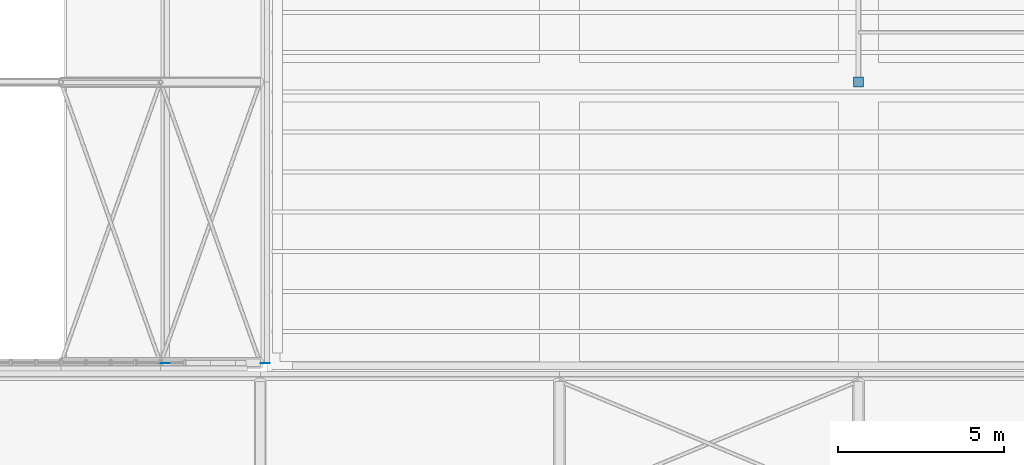
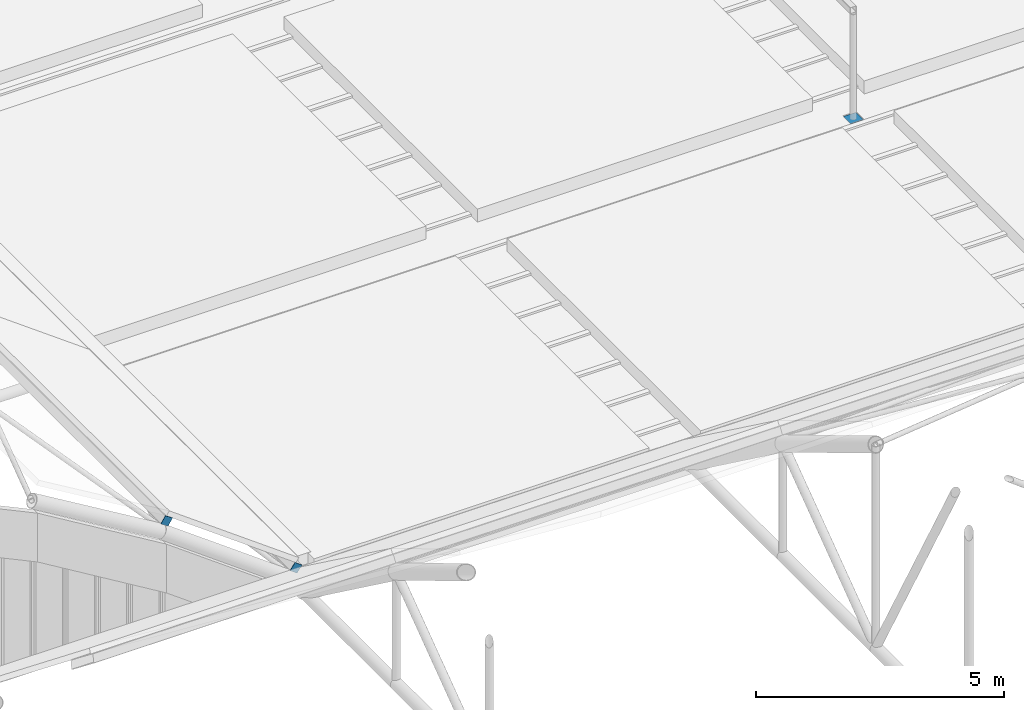
# One storey, part 129 of 153: 3 discrete accessories.
"""IFC4 building model written with IfcOpenShell, lengths in metres."""

import ifcopenshell
import ifcopenshell.guid

model = None  # the IFC model being written
_history = None  # IfcOwnerHistory: only IFC2X3 demands one
_inside = {}  # id of a spatial element -> (the spatial element, [elements in it])
_under = {}  # id of a project, library or spatial element -> (it, [spatial elements below it])
_declared = {}  # id of a project -> (the project, [libraries it declares])
_typed = {}  # id of a type object -> (the type object, [elements of that type])
_made_of = {}  # id of a material, layer set ... -> (it, [elements and type objects made of it])


def new_model(schema):
    """Start an empty IFC model of exactly this schema.

    Asked for "IFC4X3", IfcOpenShell would pick the latest addendum, in which some entities
    have other attributes; the version numbers below select the first issue.
    IFC2X3 requires an IfcOwnerHistory on every rooted entity: one is made here for all.
    """
    global model, _history
    if schema == "IFC4X3":
        model = ifcopenshell.file(schema_version=(4, 3, 0, 0))
    else:
        model = ifcopenshell.file(schema=schema)
    _inside.clear()
    _under.clear()
    _declared.clear()
    _typed.clear()
    _made_of.clear()
    _history = None
    if model.schema == "IFC2X3":
        org = make("IfcOrganization", Name="unknown")
        user = make(
            "IfcPersonAndOrganization",
            ThePerson=make("IfcPerson", FamilyName="unknown"),
            TheOrganization=org,
        )
        app = make(
            "IfcApplication",
            ApplicationDeveloper=org,
            Version="unknown",
            ApplicationFullName="unknown",
            ApplicationIdentifier="unknown",
        )
        _history = make(
            "IfcOwnerHistory",
            OwningUser=user,
            OwningApplication=app,
            ChangeAction="ADDED",
            CreationDate=0,
        )
    return model


def make(cls, **values):
    """One entity of the class cls with the attributes given. An attribute that is None is left unset."""
    return model.create_entity(
        cls, **{name: value for name, value in values.items() if value is not None}
    )


def rooted(cls, **values):
    """An entity with a GlobalId (a new one), such as an element, a storey or a relation."""
    return make(cls, GlobalId=ifcopenshell.guid.new(), OwnerHistory=_history, **values)


def si_unit(unit_type, name, prefix=None):
    """IfcSIUnit, for example si_unit("LENGTHUNIT", "METRE", prefix="MILLI")."""
    return make("IfcSIUnit", UnitType=unit_type, Prefix=prefix, Name=name)


def assignment(units):
    """IfcUnitAssignment: the units of a project."""
    return None if units is None else make("IfcUnitAssignment", Units=units)


def point(xyz):
    """IfcCartesianPoint."""
    return None if xyz is None else make("IfcCartesianPoint", Coordinates=xyz)


def direction(xyz):
    """IfcDirection."""
    return None if xyz is None else make("IfcDirection", DirectionRatios=xyz)


def frame(location, z_axis=None, x_axis=None):
    """IfcAxis2Placement3D, a coordinate frame: its origin and axes. An axis left out is left unset."""
    return make(
        "IfcAxis2Placement3D",
        Location=point(location),
        Axis=direction(z_axis),
        RefDirection=direction(x_axis),
    )


def frame_2d(location, x_axis=None):
    """IfcAxis2Placement2D, a coordinate frame in the plane: its origin and x axis."""
    return make(
        "IfcAxis2Placement2D", Location=point(location), RefDirection=direction(x_axis)
    )


def origin():
    """The frame at (0, 0, 0) with its axes left unset."""
    return frame((0.0, 0.0, 0.0))


def origin_2d():
    """The frame at (0, 0) in the plane with its x axis left unset."""
    return frame_2d((0.0, 0.0))


def place(relative_to, where):
    """IfcLocalPlacement: puts the frame where relative to a parent placement (None: the world)."""
    return make(
        "IfcLocalPlacement", PlacementRelTo=relative_to, RelativePlacement=where
    )


def context(
    kind, dimensions, precision=None, world=None, true_north=None, identifier=None
):
    """IfcGeometricRepresentationContext, for example the 3D "Model" context."""
    return make(
        "IfcGeometricRepresentationContext",
        ContextIdentifier=identifier,
        ContextType=kind,
        CoordinateSpaceDimension=dimensions,
        Precision=precision,
        WorldCoordinateSystem=world,
        TrueNorth=true_north,
    )


def subcontext(parent, identifier, kind, view, scale=None):
    """IfcGeometricRepresentationSubContext, for example "Body" below "Model"."""
    return make(
        "IfcGeometricRepresentationSubContext",
        ContextIdentifier=identifier,
        ContextType=kind,
        ParentContext=parent,
        TargetScale=scale,
        TargetView=view,
    )


def project(units=None, contexts=None):
    """IfcProject with its units and contexts."""
    return rooted(
        "IfcProject",
        Name="project",
        RepresentationContexts=contexts,
        UnitsInContext=assignment(units),
    )


def spatial(cls, under=None, at=None, **own):
    """A site, building, storey or space (cls), placed at a placement, below another one or the project."""
    s = rooted(cls, ObjectPlacement=at, **own)
    if under is not None:
        _under.setdefault(under.id(), (under, []))[1].append(s)
    return s


def profile(cls, at=None, kind="AREA", **sizes):
    """A parametric profile (cls). Its sizes go by their IFC names, for example OverallWidth=200.0."""
    return make(cls, ProfileType=kind, Position=at, **sizes)


def rectangle(**sizes):
    """IfcRectangleProfileDef."""
    return profile("IfcRectangleProfileDef", **sizes)


def extrude(swept, where, along, depth):
    """IfcExtrudedAreaSolid: the profile swept, set in the frame where, extruded along a direction by depth."""
    return make(
        "IfcExtrudedAreaSolid",
        SweptArea=swept,
        Position=where,
        ExtrudedDirection=direction(along),
        Depth=depth,
    )


def shape(context_of_items, identifier, shape_type, items):
    """IfcShapeRepresentation: the items that make up one representation, for example the "Body"."""
    return make(
        "IfcShapeRepresentation",
        ContextOfItems=context_of_items,
        RepresentationIdentifier=identifier,
        RepresentationType=shape_type,
        Items=items,
    )


def material(Name=None, Category=None):
    """IfcMaterial."""
    return make("IfcMaterial", Name=Name, Category=Category)


def made_of(thing, what):
    """Note that an element or type object is made of a material, layer set ...; save() writes the relation."""
    if what is not None:
        _made_of.setdefault(what.id(), (what, []))[1].append(thing)
    return thing


def type_object(cls, material=None, **own):
    """A type object (cls), such as IfcWallType, which elements share."""
    return made_of(rooted(cls, **own), material)


def element(
    cls,
    number,
    at=None,
    inside=None,
    cuts=None,
    type_object=None,
    material=None,
    context=None,
    identifier="Body",
    shape_type=None,
    held_by="IfcProductDefinitionShape",
    body=None,
    shapes=None,
    **own,
):
    """One element of the class cls, such as IfcWall. Its Tag is "e" and its number.

    at: its placement. inside: the storey or other place that contains it. cuts: it is an
    opening in that element (IfcRelVoidsElement). A single representation is given by context,
    identifier, shape_type and body (its items); several are given by shapes. held_by: the class
    of the entity that holds the representations. save() writes the other relations.
    """
    e = rooted(cls, Tag="e%d" % number, ObjectPlacement=at, **own)
    if body is not None:
        shapes = [shape(context, identifier, shape_type, body)]
    if shapes is not None:
        e.Representation = make(held_by, Representations=shapes)
    if inside is not None:
        _inside.setdefault(inside.id(), (inside, []))[1].append(e)
    if cuts is not None:
        rooted(
            "IfcRelVoidsElement", RelatingBuildingElement=cuts, RelatedOpeningElement=e
        )
    if type_object is not None:
        _typed.setdefault(type_object.id(), (type_object, []))[1].append(e)
    return made_of(e, material)


def aggregate(whole, parts):
    """IfcRelAggregates: a whole, such as a stair, and the parts it consists of."""
    return rooted("IfcRelAggregates", RelatingObject=whole, RelatedObjects=parts)


def save(model, path):
    """Write the relations noted so far, then the file.

    IfcRelAggregates (storeys below a building ...), IfcRelContainedInSpatialStructure (elements
    in a storey), IfcRelDefinesByType, IfcRelAssociatesMaterial and IfcRelDeclares: one each for
    every whole, place, type object, material and project.
    """
    for whole, parts in _under.values():
        aggregate(whole, parts)
    for where, things in _inside.values():
        rooted(
            "IfcRelContainedInSpatialStructure",
            RelatedElements=things,
            RelatingStructure=where,
        )
    for kind, things in _typed.values():
        rooted("IfcRelDefinesByType", RelatedObjects=things, RelatingType=kind)
    for what, things in _made_of.values():
        rooted("IfcRelAssociatesMaterial", RelatedObjects=things, RelatingMaterial=what)
    for by, libraries in _declared.values():
        rooted("IfcRelDeclares", RelatingContext=by, RelatedDefinitions=libraries)
    model.write(path)


model = new_model("IFC4")

# Units and contexts
model_context = context("Model", 3, precision=1e-05, world=origin(), true_north=direction((0.0, 1.0)))
body_context = subcontext(model_context, "Body", "Model", "MODEL_VIEW")
ifc_project = project(units=[si_unit("LENGTHUNIT", "METRE"), si_unit("AREAUNIT", "SQUARE_METRE"), si_unit("VOLUMEUNIT", "CUBIC_METRE"), si_unit("PLANEANGLEUNIT", "RADIAN"), si_unit("MASSUNIT", "GRAM", prefix="KILO")], contexts=[model_context])

# Site, building, storey
site_placement = place(None, origin())
site = spatial("IfcSite", under=ifc_project, at=site_placement, CompositionType="ELEMENT")
building_placement = place(site_placement, origin())
building = spatial("IfcBuilding", under=site, at=building_placement, Name="Baradari Gate Terminus", CompositionType="ELEMENT")
storey_placement = place(building_placement, frame((0.0, 0.0, 11.699951171875)))
storey = spatial("IfcBuildingStorey", under=building, at=storey_placement, Name="L02", CompositionType="ELEMENT", Elevation=11.699951171875)

# Discrete accessories
ifc_material_1 = material(Name="Steel S355", Category="steel")
discrete_accessory_type_1 = type_object("IfcDiscreteAccessoryType", Name="Hollow section end plate EP-1 200x200x10", PredefinedType="ANCHORPLATE", material=ifc_material_1)
for number, where, z_axis, x_axis, name in (
    (1, (168.138427734375, 81.5400390625, 2.530517578125), (0.0, 1.0, 0.0), (-0.832836263724, 0.0, 0.55351942859), "End plate EP-1 at the start of TR/L02/VP1-PU11"),
    (2, (171.147705078125, 81.5400390625, 0.323974609375), (0.0, 1.0, 0.0), (-0.80640499586, 0.0, 0.591363663621), "End plate EP-1 at the start of TR/L02/VP1-PU12"),
):
    element("IfcDiscreteAccessory", number, at=place(storey_placement, frame(where, z_axis=z_axis, x_axis=x_axis)), inside=storey, type_object=discrete_accessory_type_1, Name=name, PredefinedType="ANCHORPLATE", context=body_context, shape_type="SweptSolid", body=[
        extrude(rectangle(XDim=0.199951171875, YDim=0.199951171875, at=origin_2d()), origin(), (0.0, 0.0, 1.0), 0.010009765625),
    ])
ifc_material_2 = material(Name="Steel S355", Category="steel")
discrete_accessory_type_2 = type_object("IfcDiscreteAccessoryType", Name="Pergola base plate PGP-1 300x300x12", PredefinedType="BRACKET", material=ifc_material_2)
discrete_accessory_placement = place(storey_placement, frame((189.0, 90.0, 0.0), z_axis=(0.0, 0.0, 1.0), x_axis=(1.0, 0.0, 0.0)))
element("IfcDiscreteAccessory", 3, at=discrete_accessory_placement, inside=storey, type_object=discrete_accessory_type_2, Name="Pergola base plate E1", PredefinedType="BRACKET", context=body_context, shape_type="SweptSolid", body=[
    extrude(rectangle(XDim=0.300048828125, YDim=0.300048828125, at=origin_2d()), origin(), (0.0, 0.0, 1.0), 0.011962890625),
])

save(model, "model.ifc")
